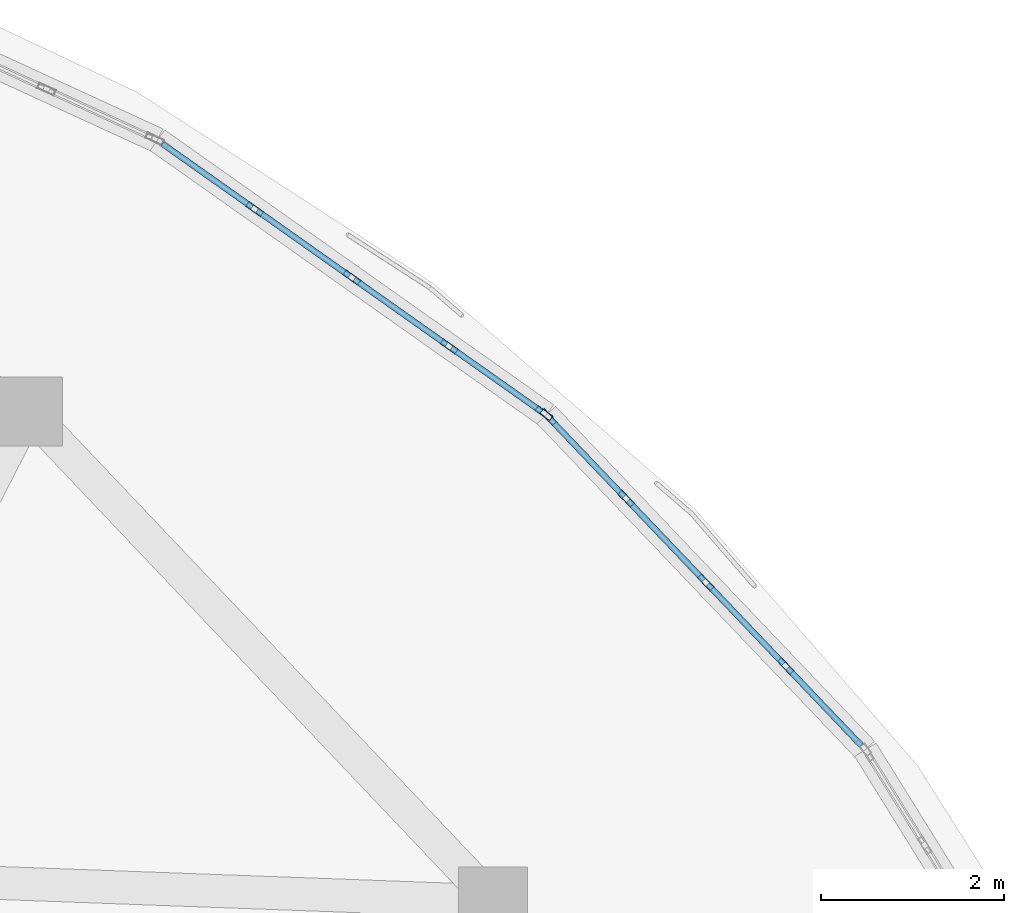
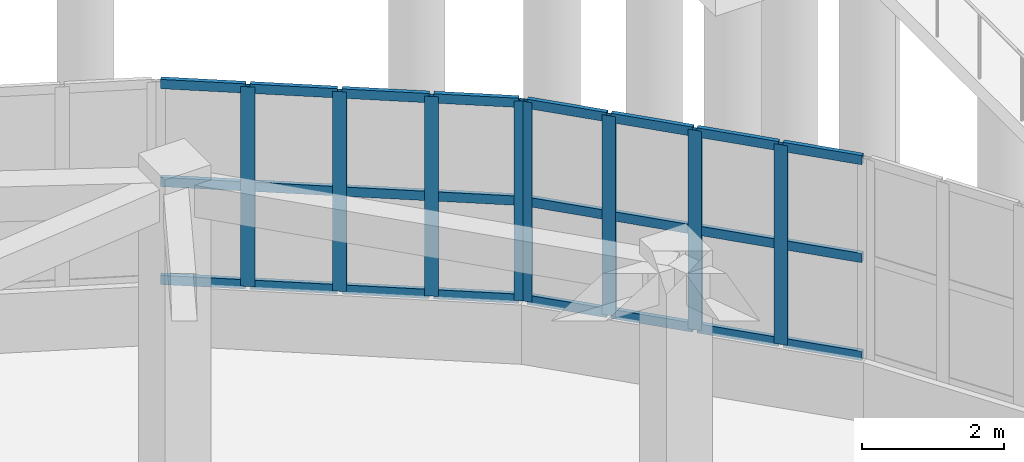
# One storey, part 57 of 96: 32 members, 2 elements without a shape of their own.
"""IFC4 building model written with IfcOpenShell, lengths in metres."""

from ifc_helpers import new_model, si_unit, direction, frame, origin, origin_2d, place, context, subcontext, project, spatial, hollow_rectangle, extrude, material, layer, layer_set, material_profile, profile_set, type_object, element, aggregate, save


model = new_model("IFC4")

# Units and contexts
model_context = context("Model", 3, precision=1e-05, world=origin(), true_north=direction((0.0, 1.0)))
body_context = subcontext(model_context, "Body", "Model", "MODEL_VIEW")
ifc_project = project(units=[si_unit("LENGTHUNIT", "METRE"), si_unit("AREAUNIT", "SQUARE_METRE"), si_unit("VOLUMEUNIT", "CUBIC_METRE"), si_unit("PLANEANGLEUNIT", "RADIAN"), si_unit("MASSUNIT", "GRAM", prefix="KILO")], contexts=[model_context])

# Site, building, storey
site_placement = place(None, origin())
site = spatial("IfcSite", under=ifc_project, at=site_placement, CompositionType="ELEMENT")
building_placement = place(site_placement, origin())
building = spatial("IfcBuilding", under=site, at=building_placement, Name="Pelvatis Terrace Science Centre", CompositionType="ELEMENT")
storey_placement = place(building_placement, origin())
storey = spatial("IfcBuildingStorey", under=building, at=storey_placement, Name="L00", CompositionType="ELEMENT", Elevation=0.0)

# Curtain wall, members
ifc_material_1 = material(Name="Bronze-anodised aluminium and laminated glass", Category="aluminium")
ifc_layer = layer(ifc_material_1, 0.199951171875)
ifc_layer_set = layer_set([ifc_layer], Name="Bronze-anodised aluminium and laminated glass")
curtain_wall_type = type_object("IfcCurtainWallType", Name="CW-RIBBON-B", PredefinedType="NOTDEFINED", material=ifc_layer_set)
curtain_wall_1_placement = place(storey_placement, origin())
curtain_wall_1 = element("IfcCurtainWall", 1, at=curtain_wall_1_placement, inside=storey, type_object=curtain_wall_type, Name="Ribbon curtain wall CW-103 (L00)", PredefinedType="NOTDEFINED")
ifc_material_2 = material(Name="Bronze-anodised aluminium 6063-T6", Category="aluminium")
ifc_material_profile_1 = material_profile(ifc_material_2, hollow_rectangle(XDim=0.06494140625, YDim=0.199951171875, WallThickness=0.00439453125, at=origin_2d()), Name="ALU-MUL 65x200")
ifc_profile_set_1 = profile_set([ifc_material_profile_1], Name="Bronze-anodised aluminium 6063-T6")
member_type_1 = type_object("IfcMemberType", Name="CWM-65x200", PredefinedType="MULLION", material=ifc_profile_set_1)
member_1_placement = place(storey_placement, frame((134.050537109375, 96.531982421875, 1.02001953125), z_axis=(0.0, 0.0, 1.0), x_axis=(-0.723834942686, -0.689973170309, 0.0)))
member_1 = element("IfcMember", 2, at=member_1_placement, type_object=member_type_1, Name="CW-103 mullion 2", PredefinedType="MULLION", context=body_context, shape_type="SweptSolid", body=[
    extrude(hollow_rectangle(XDim=0.06494140625, YDim=0.199951171875, WallThickness=0.00439453125, at=origin_2d()), origin(), (0.0, 0.0, 1.0), 3.43994140625),
])
member_2_placement = place(storey_placement, frame((133.178466796875, 97.44677734375, 1.02001953125), z_axis=(0.0, 0.0, 1.0), x_axis=(-0.723834942686, -0.689973170309, 0.0)))
member_2 = element("IfcMember", 3, at=member_2_placement, type_object=member_type_1, Name="CW-103 mullion 3", PredefinedType="MULLION", context=body_context, shape_type="SweptSolid", body=[
    extrude(hollow_rectangle(XDim=0.06494140625, YDim=0.199951171875, WallThickness=0.00439453125, at=origin_2d()), origin(), (0.0, 0.0, 1.0), 3.43994140625),
])
member_3_placement = place(storey_placement, frame((132.306396484375, 98.36181640625, 1.02001953125), z_axis=(0.0, 0.0, 1.0), x_axis=(-0.723834942686, -0.689973170309, 0.0)))
member_3 = element("IfcMember", 4, at=member_3_placement, type_object=member_type_1, Name="CW-103 mullion 4", PredefinedType="MULLION", context=body_context, shape_type="SweptSolid", body=[
    extrude(hollow_rectangle(XDim=0.06494140625, YDim=0.199951171875, WallThickness=0.00439453125, at=origin_2d()), origin(), (0.0, 0.0, 1.0), 3.43994140625),
])
member_4_placement = place(storey_placement, frame((131.456787109375, 99.253173828125, 1.02001953125), z_axis=(0.0, 0.0, 1.0), x_axis=(-0.723834942686, -0.689973170309, 0.0)))
member_4 = element("IfcMember", 5, at=member_4_placement, type_object=member_type_1, Name="CW-103 mullion 5", PredefinedType="MULLION", context=body_context, shape_type="SweptSolid", body=[
    extrude(hollow_rectangle(XDim=0.06494140625, YDim=0.199951171875, WallThickness=0.00439453125, at=origin_2d()), origin(), (0.0, 0.0, 1.0), 3.43994140625),
])

curtain_wall_2_placement = place(storey_placement, origin())
curtain_wall_2 = element("IfcCurtainWall", 6, at=curtain_wall_2_placement, inside=storey, type_object=curtain_wall_type, Name="Ribbon curtain wall CW-104 (L00)", PredefinedType="NOTDEFINED")
member_5_placement = place(storey_placement, frame((131.40771484375, 99.29541015625, 1.02001953125), z_axis=(0.0, 0.0, 1.0), x_axis=(-0.577064835369, -0.816698338299, 0.0)))
member_5 = element("IfcMember", 7, at=member_5_placement, type_object=member_type_1, Name="CW-104 mullion 1", PredefinedType="MULLION", context=body_context, shape_type="SweptSolid", body=[
    extrude(hollow_rectangle(XDim=0.06494140625, YDim=0.199951171875, WallThickness=0.00439453125, at=origin_2d()), origin(), (0.0, 0.0, 1.0), 3.43994140625),
])
member_6_placement = place(storey_placement, frame((130.37158203125, 100.02734375, 1.02001953125), z_axis=(0.0, 0.0, 1.0), x_axis=(-0.577064835369, -0.816698338299, 0.0)))
member_6 = element("IfcMember", 8, at=member_6_placement, type_object=member_type_1, Name="CW-104 mullion 2", PredefinedType="MULLION", context=body_context, shape_type="SweptSolid", body=[
    extrude(hollow_rectangle(XDim=0.06494140625, YDim=0.199951171875, WallThickness=0.00439453125, at=origin_2d()), origin(), (0.0, 0.0, 1.0), 3.43994140625),
])
member_7_placement = place(storey_placement, frame((129.30908203125, 100.7783203125, 1.02001953125), z_axis=(0.0, 0.0, 1.0), x_axis=(-0.577064835369, -0.816698338299, 0.0)))
member_7 = element("IfcMember", 9, at=member_7_placement, type_object=member_type_1, Name="CW-104 mullion 3", PredefinedType="MULLION", context=body_context, shape_type="SweptSolid", body=[
    extrude(hollow_rectangle(XDim=0.06494140625, YDim=0.199951171875, WallThickness=0.00439453125, at=origin_2d()), origin(), (0.0, 0.0, 1.0), 3.43994140625),
])
member_8_placement = place(storey_placement, frame((128.246337890625, 101.529052734375, 1.02001953125), z_axis=(0.0, 0.0, 1.0), x_axis=(-0.577064835369, -0.816698338299, 0.0)))
member_8 = element("IfcMember", 10, at=member_8_placement, type_object=member_type_1, Name="CW-104 mullion 4", PredefinedType="MULLION", context=body_context, shape_type="SweptSolid", body=[
    extrude(hollow_rectangle(XDim=0.06494140625, YDim=0.199951171875, WallThickness=0.00439453125, at=origin_2d()), origin(), (0.0, 0.0, 1.0), 3.43994140625),
])

# Member
ifc_material_3 = material(Name="Bronze-anodised aluminium 6063-T6", Category="aluminium")
ifc_material_profile_2 = material_profile(ifc_material_3, hollow_rectangle(XDim=0.06494140625, YDim=0.159912109375, WallThickness=0.00390625, at=origin_2d()), Name="ALU-TRN 65x160")
ifc_profile_set_2 = profile_set([ifc_material_profile_2], Name="Bronze-anodised aluminium 6063-T6")
member_type_2 = type_object("IfcMemberType", Name="CWT-65x160", PredefinedType="USERDEFINED", material=ifc_profile_set_2)
member_9_placement = place(storey_placement, frame((134.8779296875, 95.6640625, 1.052490234375), z_axis=(-0.690057486655, 0.723754561375, 0.0), x_axis=(-0.723754561375, -0.690057486655, 0.0)))
member_9 = element("IfcMember", 11, at=member_9_placement, type_object=member_type_2, Name="CW-103 transom 1.1", ObjectType="TRANSOM", PredefinedType="USERDEFINED", context=body_context, shape_type="SweptSolid", body=[
    extrude(hollow_rectangle(XDim=0.06494140625, YDim=0.159912109375, WallThickness=0.00390625, at=origin_2d()), origin(), (0.0, 0.0, 1.0), 1.16650390625),
])

member_10_placement = place(storey_placement, frame((134.8779296875, 95.6640625, 2.739990234375), z_axis=(-0.690057486655, 0.723754561375, 0.0), x_axis=(-0.723754561375, -0.690057486655, 0.0)))
member_10 = element("IfcMember", 12, at=member_10_placement, type_object=member_type_2, Name="CW-103 transom 1.2", ObjectType="TRANSOM", PredefinedType="USERDEFINED", context=body_context, shape_type="SweptSolid", body=[
    extrude(hollow_rectangle(XDim=0.06494140625, YDim=0.159912109375, WallThickness=0.00390625, at=origin_2d()), origin(), (0.0, 0.0, 1.0), 1.16650390625),
])

member_11_placement = place(storey_placement, frame((134.8779296875, 95.6640625, 4.427490234375), z_axis=(-0.690057486655, 0.723754561375, 0.0), x_axis=(-0.723754561375, -0.690057486655, 0.0)))
member_11 = element("IfcMember", 13, at=member_11_placement, type_object=member_type_2, Name="CW-103 transom 1.3", ObjectType="TRANSOM", PredefinedType="USERDEFINED", context=body_context, shape_type="SweptSolid", body=[
    extrude(hollow_rectangle(XDim=0.06494140625, YDim=0.159912109375, WallThickness=0.00390625, at=origin_2d()), origin(), (0.0, 0.0, 1.0), 1.16650390625),
])

member_12_placement = place(storey_placement, frame((134.028076171875, 96.555419921875, 1.052490234375), z_axis=(-0.689899198956, 0.723905446367, 0.0), x_axis=(-0.723905446367, -0.689899198956, 0.0)))
member_12 = element("IfcMember", 14, at=member_12_placement, type_object=member_type_2, Name="CW-103 transom 2.1", ObjectType="TRANSOM", PredefinedType="USERDEFINED", context=body_context, shape_type="SweptSolid", body=[
    extrude(hollow_rectangle(XDim=0.06494140625, YDim=0.159912109375, WallThickness=0.00390625, at=origin_2d()), origin(), (0.0, 0.0, 1.0), 1.198974609375),
])

member_13_placement = place(storey_placement, frame((134.028076171875, 96.555419921875, 2.739990234375), z_axis=(-0.689899198956, 0.723905446367, 0.0), x_axis=(-0.723905446367, -0.689899198956, 0.0)))
member_13 = element("IfcMember", 15, at=member_13_placement, type_object=member_type_2, Name="CW-103 transom 2.2", ObjectType="TRANSOM", PredefinedType="USERDEFINED", context=body_context, shape_type="SweptSolid", body=[
    extrude(hollow_rectangle(XDim=0.06494140625, YDim=0.159912109375, WallThickness=0.00390625, at=origin_2d()), origin(), (0.0, 0.0, 1.0), 1.198974609375),
])

member_14_placement = place(storey_placement, frame((134.028076171875, 96.555419921875, 4.427490234375), z_axis=(-0.689899198956, 0.723905446367, 0.0), x_axis=(-0.723905446367, -0.689899198956, 0.0)))
member_14 = element("IfcMember", 16, at=member_14_placement, type_object=member_type_2, Name="CW-103 transom 2.3", ObjectType="TRANSOM", PredefinedType="USERDEFINED", context=body_context, shape_type="SweptSolid", body=[
    extrude(hollow_rectangle(XDim=0.06494140625, YDim=0.159912109375, WallThickness=0.00390625, at=origin_2d()), origin(), (0.0, 0.0, 1.0), 1.198974609375),
])

member_15_placement = place(storey_placement, frame((133.156005859375, 97.47021484375, 1.052490234375), z_axis=(-0.689899198956, 0.723905446367, 0.0), x_axis=(-0.723905446367, -0.689899198956, 0.0)))
member_15 = element("IfcMember", 17, at=member_15_placement, type_object=member_type_2, Name="CW-103 transom 3.1", ObjectType="TRANSOM", PredefinedType="USERDEFINED", context=body_context, shape_type="SweptSolid", body=[
    extrude(hollow_rectangle(XDim=0.06494140625, YDim=0.159912109375, WallThickness=0.00390625, at=origin_2d()), origin(), (0.0, 0.0, 1.0), 1.198974609375),
])

member_16_placement = place(storey_placement, frame((133.156005859375, 97.47021484375, 2.739990234375), z_axis=(-0.689899198956, 0.723905446367, 0.0), x_axis=(-0.723905446367, -0.689899198956, 0.0)))
member_16 = element("IfcMember", 18, at=member_16_placement, type_object=member_type_2, Name="CW-103 transom 3.2", ObjectType="TRANSOM", PredefinedType="USERDEFINED", context=body_context, shape_type="SweptSolid", body=[
    extrude(hollow_rectangle(XDim=0.06494140625, YDim=0.159912109375, WallThickness=0.00390625, at=origin_2d()), origin(), (0.0, 0.0, 1.0), 1.198974609375),
])

member_17_placement = place(storey_placement, frame((133.156005859375, 97.47021484375, 4.427490234375), z_axis=(-0.689899198956, 0.723905446367, 0.0), x_axis=(-0.723905446367, -0.689899198956, 0.0)))
member_17 = element("IfcMember", 19, at=member_17_placement, type_object=member_type_2, Name="CW-103 transom 3.3", ObjectType="TRANSOM", PredefinedType="USERDEFINED", context=body_context, shape_type="SweptSolid", body=[
    extrude(hollow_rectangle(XDim=0.06494140625, YDim=0.159912109375, WallThickness=0.00390625, at=origin_2d()), origin(), (0.0, 0.0, 1.0), 1.198974609375),
])

member_18_placement = place(storey_placement, frame((132.283935546875, 98.38525390625, 1.052490234375), z_axis=(-0.689947827968, 0.723859098639, 0.0), x_axis=(-0.723859098639, -0.689947827968, 0.0)))
member_18 = element("IfcMember", 20, at=member_18_placement, type_object=member_type_2, Name="CW-103 transom 4.1", ObjectType="TRANSOM", PredefinedType="USERDEFINED", context=body_context, shape_type="SweptSolid", body=[
    extrude(hollow_rectangle(XDim=0.06494140625, YDim=0.159912109375, WallThickness=0.00390625, at=origin_2d()), origin(), (0.0, 0.0, 1.0), 1.166259765625),
])

member_19_placement = place(storey_placement, frame((132.283935546875, 98.38525390625, 2.739990234375), z_axis=(-0.689947827968, 0.723859098639, 0.0), x_axis=(-0.723859098639, -0.689947827968, 0.0)))
member_19 = element("IfcMember", 21, at=member_19_placement, type_object=member_type_2, Name="CW-103 transom 4.2", ObjectType="TRANSOM", PredefinedType="USERDEFINED", context=body_context, shape_type="SweptSolid", body=[
    extrude(hollow_rectangle(XDim=0.06494140625, YDim=0.159912109375, WallThickness=0.00390625, at=origin_2d()), origin(), (0.0, 0.0, 1.0), 1.166259765625),
])

member_20_placement = place(storey_placement, frame((132.283935546875, 98.38525390625, 4.427490234375), z_axis=(-0.689947827968, 0.723859098639, 0.0), x_axis=(-0.723859098639, -0.689947827968, 0.0)))
member_20 = element("IfcMember", 22, at=member_20_placement, type_object=member_type_2, Name="CW-103 transom 4.3", ObjectType="TRANSOM", PredefinedType="USERDEFINED", context=body_context, shape_type="SweptSolid", body=[
    extrude(hollow_rectangle(XDim=0.06494140625, YDim=0.159912109375, WallThickness=0.00390625, at=origin_2d()), origin(), (0.0, 0.0, 1.0), 1.166259765625),
])

aggregate(curtain_wall_1, [member_1, member_2, member_3, member_4, member_9, member_10, member_11, member_12, member_13, member_14, member_15, member_16, member_17, member_18, member_19, member_20])

member_21_placement = place(storey_placement, frame((131.381103515625, 99.314208984375, 1.052490234375), z_axis=(-0.816669805215, 0.577105215061, 0.0), x_axis=(-0.577105215061, -0.816669805215, 0.0)))
member_21 = element("IfcMember", 23, at=member_21_placement, type_object=member_type_2, Name="CW-104 transom 1.1", ObjectType="TRANSOM", PredefinedType="USERDEFINED", context=body_context, shape_type="SweptSolid", body=[
    extrude(hollow_rectangle(XDim=0.06494140625, YDim=0.159912109375, WallThickness=0.00390625, at=origin_2d()), origin(), (0.0, 0.0, 1.0), 1.20361328125),
])

member_22_placement = place(storey_placement, frame((131.381103515625, 99.314208984375, 2.739990234375), z_axis=(-0.816669805215, 0.577105215061, 0.0), x_axis=(-0.577105215061, -0.816669805215, 0.0)))
member_22 = element("IfcMember", 24, at=member_22_placement, type_object=member_type_2, Name="CW-104 transom 1.2", ObjectType="TRANSOM", PredefinedType="USERDEFINED", context=body_context, shape_type="SweptSolid", body=[
    extrude(hollow_rectangle(XDim=0.06494140625, YDim=0.159912109375, WallThickness=0.00390625, at=origin_2d()), origin(), (0.0, 0.0, 1.0), 1.20361328125),
])

member_23_placement = place(storey_placement, frame((131.381103515625, 99.314208984375, 4.427490234375), z_axis=(-0.816669805215, 0.577105215061, 0.0), x_axis=(-0.577105215061, -0.816669805215, 0.0)))
member_23 = element("IfcMember", 25, at=member_23_placement, type_object=member_type_2, Name="CW-104 transom 1.3", ObjectType="TRANSOM", PredefinedType="USERDEFINED", context=body_context, shape_type="SweptSolid", body=[
    extrude(hollow_rectangle(XDim=0.06494140625, YDim=0.159912109375, WallThickness=0.00390625, at=origin_2d()), origin(), (0.0, 0.0, 1.0), 1.20361328125),
])

member_24_placement = place(storey_placement, frame((130.34521484375, 100.046142578125, 1.052490234375), z_axis=(-0.816737948195, 0.577008772878, 0.0), x_axis=(-0.577008772878, -0.816737948195, 0.0)))
member_24 = element("IfcMember", 26, at=member_24_placement, type_object=member_type_2, Name="CW-104 transom 2.1", ObjectType="TRANSOM", PredefinedType="USERDEFINED", context=body_context, shape_type="SweptSolid", body=[
    extrude(hollow_rectangle(XDim=0.06494140625, YDim=0.159912109375, WallThickness=0.00390625, at=origin_2d()), origin(), (0.0, 0.0, 1.0), 1.236328125),
])

member_25_placement = place(storey_placement, frame((130.34521484375, 100.046142578125, 2.739990234375), z_axis=(-0.816737948195, 0.577008772878, 0.0), x_axis=(-0.577008772878, -0.816737948195, 0.0)))
member_25 = element("IfcMember", 27, at=member_25_placement, type_object=member_type_2, Name="CW-104 transom 2.2", ObjectType="TRANSOM", PredefinedType="USERDEFINED", context=body_context, shape_type="SweptSolid", body=[
    extrude(hollow_rectangle(XDim=0.06494140625, YDim=0.159912109375, WallThickness=0.00390625, at=origin_2d()), origin(), (0.0, 0.0, 1.0), 1.236328125),
])

member_26_placement = place(storey_placement, frame((130.34521484375, 100.046142578125, 4.427490234375), z_axis=(-0.816737948195, 0.577008772878, 0.0), x_axis=(-0.577008772878, -0.816737948195, 0.0)))
member_26 = element("IfcMember", 28, at=member_26_placement, type_object=member_type_2, Name="CW-104 transom 2.3", ObjectType="TRANSOM", PredefinedType="USERDEFINED", context=body_context, shape_type="SweptSolid", body=[
    extrude(hollow_rectangle(XDim=0.06494140625, YDim=0.159912109375, WallThickness=0.00390625, at=origin_2d()), origin(), (0.0, 0.0, 1.0), 1.236328125),
])

member_27_placement = place(storey_placement, frame((129.282470703125, 100.797119140625, 1.052490234375), z_axis=(-0.816672186634, 0.577101845065, 0.0), x_axis=(-0.577101845065, -0.816672186634, 0.0)))
member_27 = element("IfcMember", 29, at=member_27_placement, type_object=member_type_2, Name="CW-104 transom 3.1", ObjectType="TRANSOM", PredefinedType="USERDEFINED", context=body_context, shape_type="SweptSolid", body=[
    extrude(hollow_rectangle(XDim=0.06494140625, YDim=0.159912109375, WallThickness=0.00390625, at=origin_2d()), origin(), (0.0, 0.0, 1.0), 1.236083984375),
])

member_28_placement = place(storey_placement, frame((129.282470703125, 100.797119140625, 2.739990234375), z_axis=(-0.816672186634, 0.577101845065, 0.0), x_axis=(-0.577101845065, -0.816672186634, 0.0)))
member_28 = element("IfcMember", 30, at=member_28_placement, type_object=member_type_2, Name="CW-104 transom 3.2", ObjectType="TRANSOM", PredefinedType="USERDEFINED", context=body_context, shape_type="SweptSolid", body=[
    extrude(hollow_rectangle(XDim=0.06494140625, YDim=0.159912109375, WallThickness=0.00390625, at=origin_2d()), origin(), (0.0, 0.0, 1.0), 1.236083984375),
])

member_29_placement = place(storey_placement, frame((129.282470703125, 100.797119140625, 4.427490234375), z_axis=(-0.816672186634, 0.577101845065, 0.0), x_axis=(-0.577101845065, -0.816672186634, 0.0)))
member_29 = element("IfcMember", 31, at=member_29_placement, type_object=member_type_2, Name="CW-104 transom 3.3", ObjectType="TRANSOM", PredefinedType="USERDEFINED", context=body_context, shape_type="SweptSolid", body=[
    extrude(hollow_rectangle(XDim=0.06494140625, YDim=0.159912109375, WallThickness=0.00390625, at=origin_2d()), origin(), (0.0, 0.0, 1.0), 1.236083984375),
])

member_30_placement = place(storey_placement, frame((128.2197265625, 101.5478515625, 1.052490234375), z_axis=(-0.816669805215, 0.577105215061, 0.0), x_axis=(-0.577105215061, -0.816669805215, 0.0)))
member_30 = element("IfcMember", 32, at=member_30_placement, type_object=member_type_2, Name="CW-104 transom 4.1", ObjectType="TRANSOM", PredefinedType="USERDEFINED", context=body_context, shape_type="SweptSolid", body=[
    extrude(hollow_rectangle(XDim=0.06494140625, YDim=0.159912109375, WallThickness=0.00390625, at=origin_2d()), origin(), (0.0, 0.0, 1.0), 1.20361328125),
])

member_31_placement = place(storey_placement, frame((128.2197265625, 101.5478515625, 2.739990234375), z_axis=(-0.816669805215, 0.577105215061, 0.0), x_axis=(-0.577105215061, -0.816669805215, 0.0)))
member_31 = element("IfcMember", 33, at=member_31_placement, type_object=member_type_2, Name="CW-104 transom 4.2", ObjectType="TRANSOM", PredefinedType="USERDEFINED", context=body_context, shape_type="SweptSolid", body=[
    extrude(hollow_rectangle(XDim=0.06494140625, YDim=0.159912109375, WallThickness=0.00390625, at=origin_2d()), origin(), (0.0, 0.0, 1.0), 1.20361328125),
])

member_32_placement = place(storey_placement, frame((128.2197265625, 101.5478515625, 4.427490234375), z_axis=(-0.816669805215, 0.577105215061, 0.0), x_axis=(-0.577105215061, -0.816669805215, 0.0)))
member_32 = element("IfcMember", 34, at=member_32_placement, type_object=member_type_2, Name="CW-104 transom 4.3", ObjectType="TRANSOM", PredefinedType="USERDEFINED", context=body_context, shape_type="SweptSolid", body=[
    extrude(hollow_rectangle(XDim=0.06494140625, YDim=0.159912109375, WallThickness=0.00390625, at=origin_2d()), origin(), (0.0, 0.0, 1.0), 1.20361328125),
])

aggregate(curtain_wall_2, [member_5, member_6, member_7, member_8, member_21, member_22, member_23, member_24, member_25, member_26, member_27, member_28, member_29, member_30, member_31, member_32])

save(model, "model.ifc")
